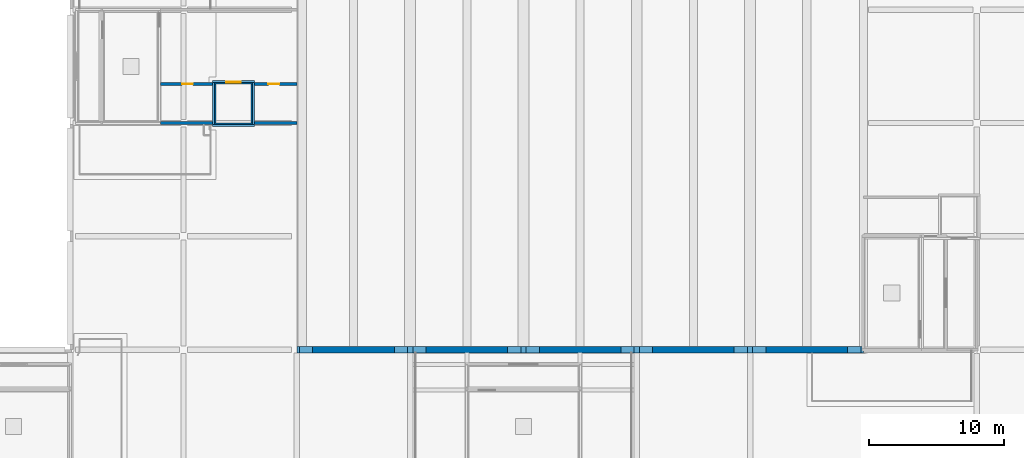
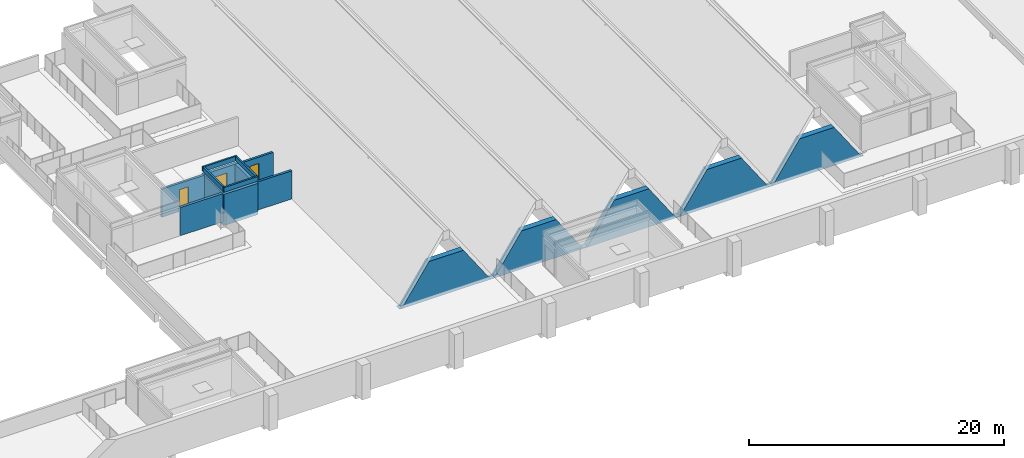
# One storey, part 12 of 24: 13 walls, 3 doors, 3 openings.
"""IFC4 building model written with IfcOpenShell, lengths in metres."""

from ifc_helpers import new_model, si_unit, direction, frame, frame_2d, origin, place, context, subcontext, project, spatial, polyline, rectangle, outline, extrude, material, layer, layer_set, type_object, element, fill, save


model = new_model("IFC4")

# Units and contexts
model_context = context("Model", 3, precision=1e-05, world=origin(), true_north=direction((0.0, 1.0)))
body_context = subcontext(model_context, "Body", "Model", "MODEL_VIEW")
ifc_project = project(units=[si_unit("LENGTHUNIT", "METRE"), si_unit("AREAUNIT", "SQUARE_METRE"), si_unit("VOLUMEUNIT", "CUBIC_METRE"), si_unit("PLANEANGLEUNIT", "RADIAN"), si_unit("MASSUNIT", "GRAM", prefix="KILO")], contexts=[model_context])

# Site, building, storey
site_placement = place(None, origin())
site = spatial("IfcSite", under=ifc_project, at=site_placement, CompositionType="ELEMENT")
building_placement = place(site_placement, origin())
building = spatial("IfcBuilding", under=site, at=building_placement, Name="Rulbaag Community and Learning Centre", CompositionType="ELEMENT")
storey_placement = place(building_placement, frame((0.0, 0.0, 14.39990234375)))
storey = spatial("IfcBuildingStorey", under=building, at=storey_placement, Name="L03", CompositionType="ELEMENT", Elevation=14.39990234375)

# Walls
ifc_material_1 = material(Name="Concrete M40", Category="concrete")
ifc_layer_1 = layer(ifc_material_1, 0.14990234375)
ifc_layer_set_1 = layer_set([ifc_layer_1], Name="EW-PAR150")
wall_type_1 = type_object("IfcWallType", Name="EW-PAR150", PredefinedType="PARAPET", material=ifc_layer_set_1)
for number, where, z_axis, x_axis, name in (
    (1, (35.75, 25.02490234375, 2.900146484375), (0.0, 0.0, 1.0), (1.0, 0.0, 0.0), "Precast concrete roof upstand with drip nose, head house roofs"),
    (2, (35.75, 28.27490234375, 2.900146484375), (0.0, 0.0, 1.0), (1.0, 0.0, 0.0), "Precast concrete roof upstand with drip nose, head house roofs"),
):
    element("IfcWall", number, at=place(storey_placement, frame(where, z_axis=z_axis, x_axis=x_axis)), inside=storey, type_object=wall_type_1, Name=name, PredefinedType="PARAPET", context=body_context, shape_type="SweptSolid", body=[
        extrude(rectangle(XDim=3.10009765625, YDim=0.14990234375, at=frame_2d((1.550048828125, 0.0))), origin(), (0.0, 0.0, 1.0), 0.449951171875),
    ])
for number, where, z_axis, x_axis, name in (
    (3, (35.824951171875, 25.10009765625, 2.900146484375), (0.0, 0.0, 1.0), (0.0, 1.0, 0.0), "Precast concrete roof upstand with drip nose, head house roofs"),
    (4, (38.77490234375, 25.10009765625, 2.900146484375), (0.0, 0.0, 1.0), (0.0, 1.0, 0.0), "Precast concrete roof upstand with drip nose, head house roofs"),
):
    element("IfcWall", number, at=place(storey_placement, frame(where, z_axis=z_axis, x_axis=x_axis)), inside=storey, type_object=wall_type_1, Name=name, PredefinedType="PARAPET", context=body_context, shape_type="SweptSolid", body=[
        extrude(rectangle(XDim=3.099853515625, YDim=0.14990234375, at=frame_2d((1.5498046875, 0.0))), origin(), (0.0, 0.0, 1.0), 0.449951171875),
    ])
ifc_material_2 = material(Name="Concrete blockwork", Category="masonry")
ifc_layer_2 = layer(ifc_material_2, 0.199951171875)
ifc_layer_set_2 = layer_set([ifc_layer_2], Name="FW-200 FIRE WALL 200")
wall_type_2 = type_object("IfcWallType", Name="FW-200 FIRE WALL 200", PredefinedType="SOLIDWALL", material=ifc_layer_set_2)
wall_1_placement = place(storey_placement, frame((31.89990234375, 25.199951171875, 0.0), z_axis=(0.0, 0.0, 1.0), x_axis=(1.0, 0.0, 0.0)))
element("IfcWall", 5, at=wall_1_placement, inside=storey, type_object=wall_type_2, Name="Fire wall L03 3", PredefinedType="SOLIDWALL", context=body_context, shape_type="SweptSolid", body=[
    extrude(rectangle(XDim=3.85009765625, YDim=0.199951171875, at=frame_2d((1.925048828125, 0.0))), origin(), (0.0, 0.0, 1.0), 2.7001953125),
])
wall_2_placement = place(storey_placement, frame((38.85009765625, 25.199951171875, 0.0), z_axis=(0.0, 0.0, 1.0), x_axis=(1.0, 0.0, 0.0)))
element("IfcWall", 6, at=wall_2_placement, inside=storey, type_object=wall_type_2, Name="Fire wall L03 4", PredefinedType="SOLIDWALL", context=body_context, shape_type="SweptSolid", body=[
    extrude(rectangle(XDim=3.14990234375, YDim=0.199951171875, at=frame_2d((1.574951171875, 0.0))), origin(), (0.0, 0.0, 1.0), 2.7001953125),
])

# Wall, opening, door
wall_3_placement = place(storey_placement, frame((31.89990234375, 28.10009765625, 0.0), z_axis=(0.0, 0.0, 1.0), x_axis=(1.0, 0.0, 0.0)))
wall_3 = element("IfcWall", 7, at=wall_3_placement, inside=storey, type_object=wall_type_2, Name="Fire wall L03 5", PredefinedType="SOLIDWALL", context=body_context, shape_type="SweptSolid", body=[
    extrude(rectangle(XDim=3.85009765625, YDim=0.199951171875, at=frame_2d((1.925048828125, 0.0))), origin(), (0.0, 0.0, 1.0), 2.7001953125),
])
opening_1_placement = place(wall_3_placement, frame((1.60009765625, 0.0, 0.0)))
opening_1 = element("IfcOpeningElement", 8, at=opening_1_placement, cuts=wall_3, Name="Opening L03-D008", PredefinedType="OPENING", context=body_context, shape_type="SweptSolid", body=[
    extrude(rectangle(XDim=0.800048828125, YDim=2.10009765625, at=frame_2d((0.39990234375, 1.050048828125))), frame((0.0, 0.10986328125, 0.0), z_axis=(0.0, -1.0, 0.0), x_axis=(1.0, 0.0, 0.0)), (0.0, 0.0, 1.0), 0.219970703125),
])
ifc_material_3 = material(Name="Galvanised steel", Category="steel")
door_type_1 = type_object("IfcDoorType", Name="FDR-800 RISER FIRE DOOR 800 x 2100", OperationType="SINGLE_SWING_LEFT", PredefinedType="DOOR", material=ifc_material_3)
door_1_placement = place(opening_1_placement, origin())
door_1 = element("IfcDoor", 9, at=door_1_placement, inside=storey, type_object=door_type_1, Name="Riser door L03-D015", OperationType="SINGLE_SWING_RIGHT", OverallHeight=2.10009765625, OverallWidth=0.800048828125, PredefinedType="DOOR", context=body_context, shape_type="SweptSolid", body=[
    extrude(rectangle(XDim=0.800048828125, YDim=2.10009765625, at=frame_2d((0.39990234375, 1.050048828125))), frame((0.0, 0.02490234375, 0.0), z_axis=(0.0, -1.0, 0.0), x_axis=(1.0, 0.0, 0.0)), (0.0, 0.0, 1.0), 0.050048828125),
])
fill(opening_1, door_1)

wall_4_placement = place(storey_placement, frame((38.85009765625, 28.10009765625, 0.0), z_axis=(0.0, 0.0, 1.0), x_axis=(1.0, 0.0, 0.0)))
wall_4 = element("IfcWall", 10, at=wall_4_placement, inside=storey, type_object=wall_type_2, Name="Fire wall L03 6", PredefinedType="SOLIDWALL", context=body_context, shape_type="SweptSolid", body=[
    extrude(rectangle(XDim=3.14990234375, YDim=0.199951171875, at=frame_2d((1.574951171875, 0.0))), origin(), (0.0, 0.0, 1.0), 2.7001953125),
])
opening_2_placement = place(wall_4_placement, frame((1.050048828125, 0.0, 0.0)))
opening_2 = element("IfcOpeningElement", 11, at=opening_2_placement, cuts=wall_4, Name="Opening L03-D012", PredefinedType="OPENING", context=body_context, shape_type="SweptSolid", body=[
    extrude(rectangle(XDim=0.800048828125, YDim=2.10009765625, at=frame_2d((0.39990234375, 1.050048828125))), frame((0.0, 0.10986328125, 0.0), z_axis=(0.0, -1.0, 0.0), x_axis=(1.0, 0.0, 0.0)), (0.0, 0.0, 1.0), 0.219970703125),
])
door_2_placement = place(opening_2_placement, origin())
door_2 = element("IfcDoor", 12, at=door_2_placement, inside=storey, type_object=door_type_1, Name="Riser door L03-D016", OperationType="SINGLE_SWING_LEFT", OverallHeight=2.10009765625, OverallWidth=0.800048828125, PredefinedType="DOOR", context=body_context, shape_type="SweptSolid", body=[
    extrude(rectangle(XDim=0.800048828125, YDim=2.10009765625, at=frame_2d((0.39990234375, 1.050048828125))), frame((0.0, 0.02490234375, 0.0), z_axis=(0.0, -1.0, 0.0), x_axis=(1.0, 0.0, 0.0)), (0.0, 0.0, 1.0), 0.050048828125),
])
fill(opening_2, door_2)

# Walls
ifc_layer_3 = layer(ifc_material_1, 0.5)
ifc_layer_set_3 = layer_set([ifc_layer_3], Name="W13 Shear wall 500 Concrete M40")
wall_type_3 = type_object("IfcWallType", Name="W13 Shear wall 500 Concrete M40", PredefinedType="SHEAR", material=ifc_layer_set_3)
wall_5_placement = place(storey_placement, frame((42.0, 8.39990234375, -0.2998046875), z_axis=(0.0, 0.0, 1.0), x_axis=(1.0, 0.0, 0.0)))
element("IfcWall", 13, at=wall_5_placement, inside=storey, type_object=wall_type_3, Name="WL-XMS-L03", PredefinedType="SHEAR", context=body_context, shape_type="SweptSolid", body=[
    extrude(outline(polyline([(0.0, 0.0), (42.0, 0.0), (42.0, 0.0498046875), (41.806884765625, 0.0498046875), (39.368408203125, 3.64990234375), (36.231689453125, 3.64990234375), (33.79296875, 0.0498046875), (33.60009765625, 0.0498046875), (33.406982421875, 0.0498046875), (30.96826171875, 3.64990234375), (27.831787109375, 3.64990234375), (25.39306640625, 0.0498046875), (25.199951171875, 0.0498046875), (25.007080078125, 0.0498046875), (22.568359375, 3.64990234375), (19.431640625, 3.64990234375), (16.992919921875, 0.0498046875), (16.800048828125, 0.0498046875), (16.60693359375, 0.0498046875), (14.168212890625, 3.64990234375), (11.03173828125, 3.64990234375), (8.593017578125, 0.0498046875), (8.39990234375, 0.0498046875), (8.20703125, 0.0498046875), (5.768310546875, 3.64990234375), (2.631591796875, 3.64990234375), (0.193115234375, 0.0498046875), (0.0, 0.0498046875), (0.0, 0.0)])), frame((0.0, 0.25, 0.0), z_axis=(0.0, -1.0, 0.0), x_axis=(1.0, 0.0, 0.0)), (0.0, 0.0, 1.0), 0.5),
])
ifc_layer_4 = layer(ifc_material_1, 0.25)
ifc_layer_set_4 = layer_set([ifc_layer_4], Name="W8 Lift shaft wall 250 Concrete M40")
wall_type_4 = type_object("IfcWallType", Name="W8 Lift shaft wall 250 Concrete M40", PredefinedType="SHEAR", material=ifc_layer_set_4)
wall_6_placement = place(storey_placement, frame((35.75, 25.074951171875, -0.2998046875), z_axis=(0.0, 0.0, 1.0), x_axis=(1.0, 0.0, 0.0)))
element("IfcWall", 14, at=wall_6_placement, inside=storey, type_object=wall_type_4, Name="WL-LH1-S-L03", PredefinedType="SHEAR", context=body_context, shape_type="SweptSolid", body=[
    extrude(rectangle(XDim=3.10009765625, YDim=0.25, at=frame_2d((1.550048828125, 0.0))), origin(), (0.0, 0.0, 1.0), 3.0),
])

# Wall, opening, door
wall_7_placement = place(storey_placement, frame((35.75, 28.22509765625, -0.2998046875), z_axis=(0.0, 0.0, 1.0), x_axis=(1.0, 0.0, 0.0)))
wall_7 = element("IfcWall", 15, at=wall_7_placement, inside=storey, type_object=wall_type_4, Name="WL-LH1-N-L03", PredefinedType="SHEAR", context=body_context, shape_type="SweptSolid", body=[
    extrude(rectangle(XDim=3.10009765625, YDim=0.25, at=frame_2d((1.550048828125, 0.0))), origin(), (0.0, 0.0, 1.0), 3.0),
])
opening_3_placement = place(wall_7_placement, frame((1.0, 0.0, 0.300048828125)))
opening_3 = element("IfcOpeningElement", 16, at=opening_3_placement, cuts=wall_7, Name="Opening L03-D010", PredefinedType="OPENING", context=body_context, shape_type="SweptSolid", body=[
    extrude(rectangle(XDim=1.10009765625, YDim=2.10009765625, at=frame_2d((0.550048828125, 1.050048828125))), frame((0.0, 0.135009765625, 0.0), z_axis=(0.0, -1.0, 0.0), x_axis=(1.0, 0.0, 0.0)), (0.0, 0.0, 1.0), 0.27001953125),
])
ifc_material_4 = material(Name="Stainless steel grade 304", Category="steel")
door_type_2 = type_object("IfcDoorType", Name="LD-1100 LIFT LANDING DOOR 1100 x 2100", OperationType="SLIDING_TO_LEFT", PredefinedType="DOOR", material=ifc_material_4)
door_3_placement = place(opening_3_placement, origin())
door_3 = element("IfcDoor", 17, at=door_3_placement, inside=storey, type_object=door_type_2, Name="Lift landing door LH1 L03", OperationType="SLIDING_TO_LEFT", OverallHeight=2.10009765625, OverallWidth=1.10009765625, PredefinedType="DOOR", context=body_context, shape_type="SweptSolid", body=[
    extrude(rectangle(XDim=1.10009765625, YDim=2.10009765625, at=frame_2d((0.550048828125, 1.050048828125))), frame((0.0, 0.02490234375, 0.0), z_axis=(0.0, -1.0, 0.0), x_axis=(1.0, 0.0, 0.0)), (0.0, 0.0, 1.0), 0.050048828125),
])
fill(opening_3, door_3)

# Walls
for number, where, z_axis, x_axis, name in (
    (18, (35.875, 25.199951171875, -0.2998046875), (0.0, 0.0, 1.0), (0.0, 1.0, 0.0), "WL-LH1-W-L03"),
    (19, (38.72509765625, 25.199951171875, -0.2998046875), (0.0, 0.0, 1.0), (0.0, 1.0, 0.0), "WL-LH1-E-L03"),
):
    element("IfcWall", number, at=place(storey_placement, frame(where, z_axis=z_axis, x_axis=x_axis)), inside=storey, type_object=wall_type_4, Name=name, PredefinedType="SHEAR", context=body_context, shape_type="SweptSolid", body=[
        extrude(rectangle(XDim=2.900146484375, YDim=0.25, at=frame_2d((1.4501953125, 0.0))), origin(), (0.0, 0.0, 1.0), 3.0),
    ])

save(model, "model.ifc")
